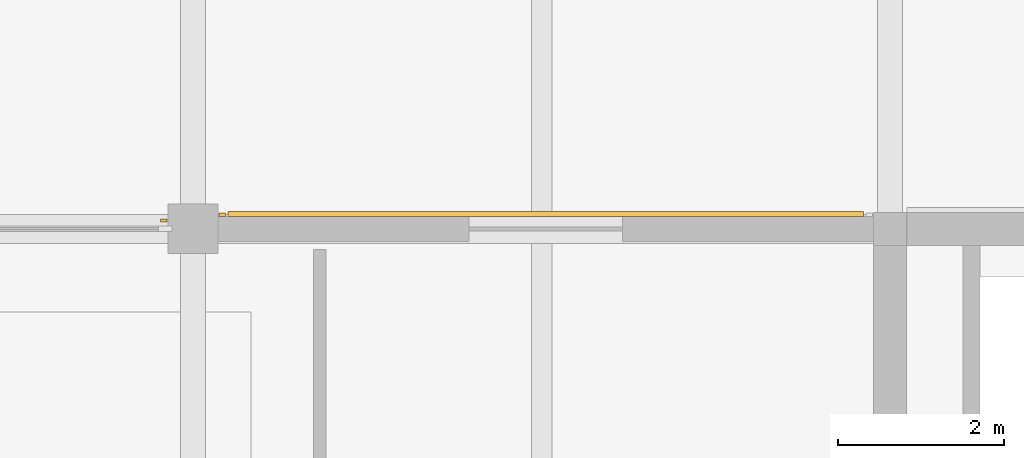
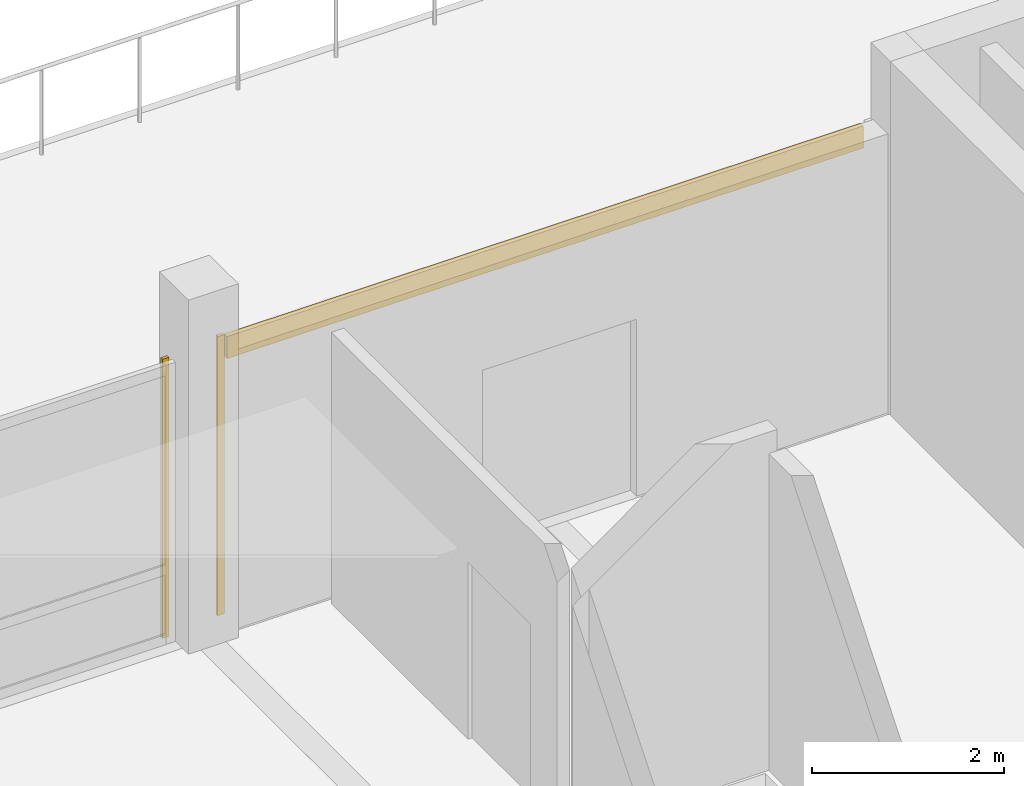
# One storey, part 22 of 25: 3 coverings.
"""IFC4 building model written with IfcOpenShell, lengths in metres."""

from ifc_helpers import new_model, si_unit, direction, frame, origin, origin_2d, place, context, subcontext, project, spatial, rectangle, extrude, material, layer, layer_set, type_object, element, save


model = new_model("IFC4")

# Units and contexts
model_context = context("Model", 3, precision=1e-05, world=origin(), true_north=direction((0.0, 1.0)))
body_context = subcontext(model_context, "Body", "Model", "MODEL_VIEW")
ifc_project = project(units=[si_unit("LENGTHUNIT", "METRE"), si_unit("AREAUNIT", "SQUARE_METRE"), si_unit("VOLUMEUNIT", "CUBIC_METRE"), si_unit("PLANEANGLEUNIT", "RADIAN"), si_unit("MASSUNIT", "GRAM", prefix="KILO")], contexts=[model_context])

# Site, building, storey
site_placement = place(None, origin())
site = spatial("IfcSite", under=ifc_project, at=site_placement, CompositionType="ELEMENT")
building_placement = place(site_placement, origin())
building = spatial("IfcBuilding", under=site, at=building_placement, Name="Telukmera Botanical Conservatory", CompositionType="ELEMENT")
storey_placement = place(building_placement, frame((0.0, 0.0, 64.5)))
storey = spatial("IfcBuildingStorey", under=building, at=storey_placement, Name="L14", CompositionType="ELEMENT", Elevation=64.5)

# Coverings
ifc_material_1 = material(Name="Granite-faced precast concrete C40/50", Category="masonry")
ifc_layer_1 = layer(ifc_material_1, 0.0400390625)
ifc_layer_set_1 = layer_set([ifc_layer_1], Name="Granite-faced precast concrete C40/50")
covering_type_1 = type_object("IfcCoveringType", Name="Granite Precast Column Pier Reveal Casing", PredefinedType="CLADDING", material=ifc_layer_set_1)
for number, where, z_axis, x_axis, name in (
    (1, (83.64794921875, 34.5, 0.0), (0.0, 0.0, 1.0), (1.0, 0.0, 0.0), "Granite Pier Reveal V4:L14:N3 R"),
    (2, (84.35205078125, 34.570068359375, 0.0), (0.0, 0.0, 1.0), (1.0, 0.0, 0.0), "Granite Pier Reveal V4:L14:N4 L"),
):
    element("IfcCovering", number, at=place(storey_placement, frame(where, z_axis=z_axis, x_axis=x_axis)), inside=storey, type_object=covering_type_1, Name=name, PredefinedType="CLADDING", context=body_context, shape_type="SweptSolid", body=[
        extrude(rectangle(XDim=0.080078125, YDim=0.0400390625, at=origin_2d()), origin(), (0.0, 0.0, 1.0), 3.550048828125),
    ])
ifc_material_2 = material(Name="Terracotta-faced precast concrete C40/50", Category="masonry")
ifc_layer_2 = layer(ifc_material_2, 0.06005859375)
ifc_layer_set_2 = layer_set([ifc_layer_2], Name="Terracotta-faced precast concrete C40/50")
covering_type_2 = type_object("IfcCoveringType", Name="Polychrome Terracotta Facade Band Cladding", PredefinedType="CLADDING", material=ifc_layer_set_2)
covering_placement = place(storey_placement, frame((88.25, 34.580078125, 3.22998046875), z_axis=(0.0, 0.0, 1.0), x_axis=(1.0, 0.0, 0.0)))
element("IfcCovering", 3, at=covering_placement, inside=storey, type_object=covering_type_2, Name="Polychrome Terracotta Band V4:L14:N4", PredefinedType="CLADDING", context=body_context, shape_type="SweptSolid", body=[
    extrude(rectangle(XDim=7.656005859375, YDim=0.06005859375, at=origin_2d()), origin(), (0.0, 0.0, 1.0), 0.280029296875),
])

save(model, "model.ifc")
